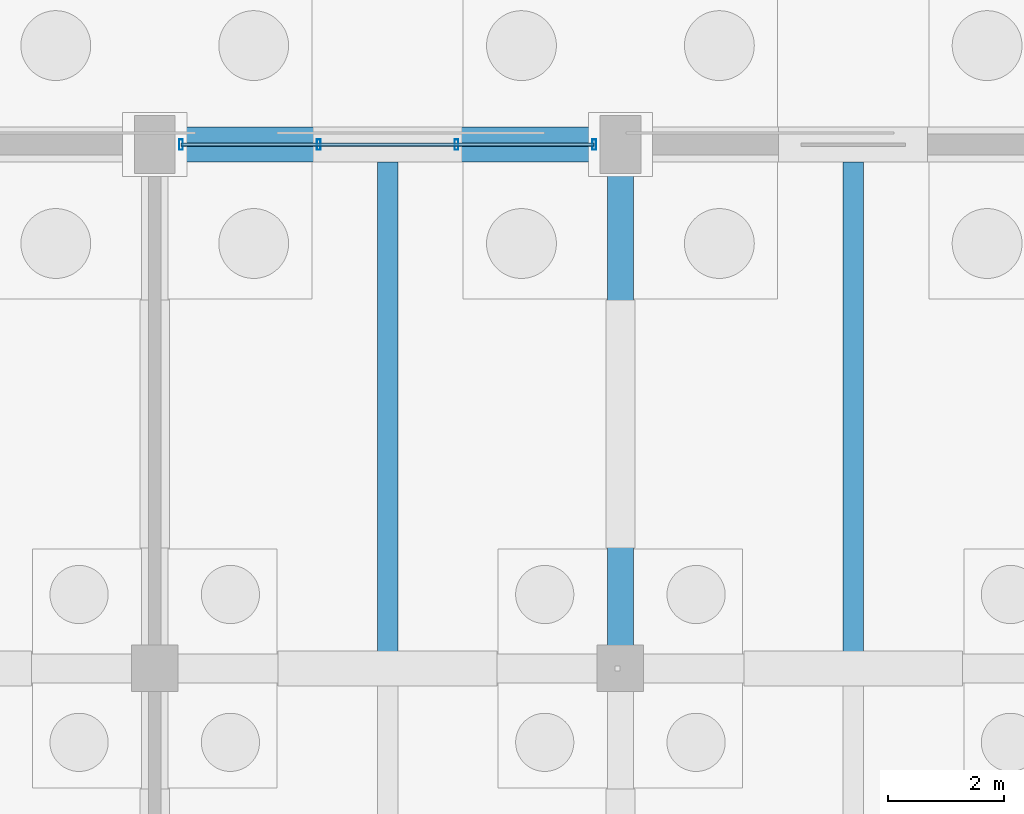
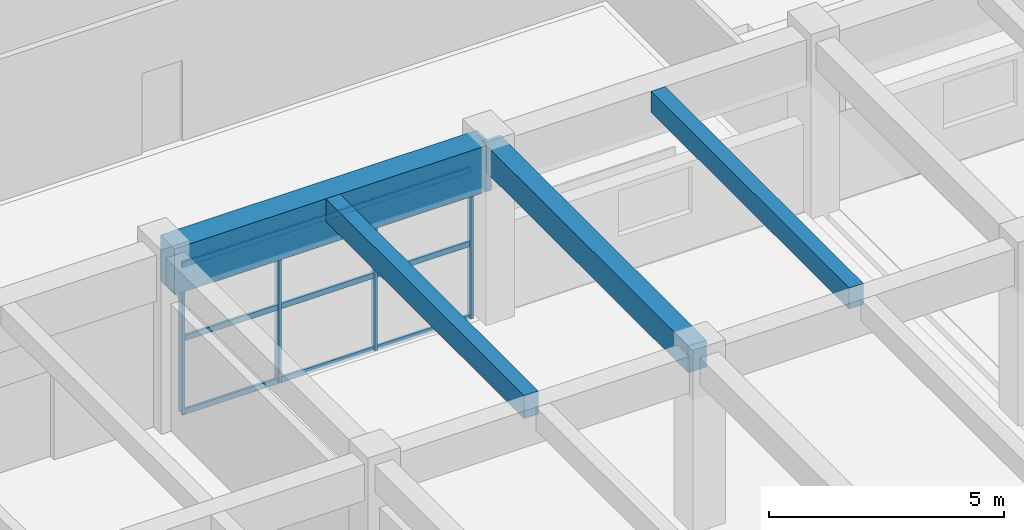
# One storey, part 38 of 147: 7 members, 4 beams, 1 element without a shape of its own.
"""IFC4 building model written with IfcOpenShell, lengths in metres."""

from ifc_helpers import new_model, si_unit, direction, frame, origin, origin_2d, place, context, subcontext, project, spatial, rectangle, hollow_rectangle, extrude, material, material_profile, profile_set, type_object, element, aggregate, save


model = new_model("IFC4")

# Units and contexts
model_context = context("Model", 3, precision=1e-05, world=origin(), true_north=direction((0.0, 1.0)))
body_context = subcontext(model_context, "Body", "Model", "MODEL_VIEW")
ifc_project = project(units=[si_unit("LENGTHUNIT", "METRE"), si_unit("AREAUNIT", "SQUARE_METRE"), si_unit("VOLUMEUNIT", "CUBIC_METRE"), si_unit("PLANEANGLEUNIT", "RADIAN"), si_unit("MASSUNIT", "GRAM", prefix="KILO")], contexts=[model_context])

# Site, building, storey
site_placement = place(None, origin())
site = spatial("IfcSite", under=ifc_project, at=site_placement, CompositionType="ELEMENT")
building_placement = place(site_placement, origin())
building = spatial("IfcBuilding", under=site, at=building_placement, Name="Varnabhumi Central Station", CompositionType="ELEMENT")
storey_placement = place(building_placement, origin())
storey = spatial("IfcBuildingStorey", under=building, at=storey_placement, Name="L00", CompositionType="ELEMENT", Elevation=0.0)

# Beams
ifc_material_1 = material(Name="Concrete M50", Category="concrete")
ifc_material_profile_1 = material_profile(ifc_material_1, rectangle(XDim=0.60009765625, YDim=1.199951171875, at=origin_2d()), Name="Concrete M50", Category="concrete")
ifc_profile_set_1 = profile_set([ifc_material_profile_1], Name="Concrete M50")
beam_type_1 = type_object("IfcBeamType", Name="BM-RC-1200x600", PredefinedType="BEAM", material=ifc_profile_set_1)
beam_1_placement = place(storey_placement, frame((48.10009765625, 36.0, 3.949951171875), z_axis=(1.0, 0.0, 0.0), x_axis=(0.0, 1.0, 0.0)))
element("IfcBeam", 1, at=beam_1_placement, inside=storey, type_object=beam_type_1, Name="Beam L00-E:7-8", PredefinedType="BEAM", context=body_context, shape_type="SweptSolid", body=[
    extrude(rectangle(XDim=0.60009765625, YDim=1.199951171875, at=origin_2d()), origin(), (0.0, 0.0, 1.0), 7.7998046875),
])
ifc_material_2 = material(Name="Concrete M40", Category="concrete")
ifc_material_profile_2 = material_profile(ifc_material_2, rectangle(XDim=0.35009765625, YDim=0.550048828125, at=origin_2d()), Name="Concrete M40", Category="concrete")
ifc_profile_set_2 = profile_set([ifc_material_profile_2], Name="Concrete M40")
beam_type_2 = type_object("IfcBeamType", Name="BM-RC-350x550", PredefinedType="JOIST", material=ifc_profile_set_2)
beam_2_placement = place(storey_placement, frame((60.0, 27.25, 4.27490234375), z_axis=(0.0, 1.0, 0.0), x_axis=(-1.0, 0.0, 0.0)))
element("IfcBeam", 2, at=beam_2_placement, inside=storey, type_object=beam_type_2, Name="Secondary Joist L00-8/9:D-E", PredefinedType="JOIST", context=body_context, shape_type="SweptSolid", body=[
    extrude(rectangle(XDim=0.35009765625, YDim=0.550048828125, at=origin_2d()), origin(), (0.0, 0.0, 1.0), 8.449951171875),
])
ifc_material_profile_3 = material_profile(ifc_material_2, rectangle(XDim=0.449951171875, YDim=0.699951171875, at=origin_2d()), Name="Concrete M40", Category="concrete")
ifc_profile_set_3 = profile_set([ifc_material_profile_3], Name="Concrete M40")
beam_type_3 = type_object("IfcBeamType", Name="BM-RC-450x700", PredefinedType="BEAM", material=ifc_profile_set_3)
beam_3_placement = place(storey_placement, frame((56.0, 27.10009765625, 4.199951171875), z_axis=(0.0, 1.0, 0.0), x_axis=(-1.0, 0.0, 0.0)))
element("IfcBeam", 3, at=beam_3_placement, inside=storey, type_object=beam_type_3, Name="Beam L00-8:D-E", PredefinedType="BEAM", context=body_context, shape_type="SweptSolid", body=[
    extrude(rectangle(XDim=0.449951171875, YDim=0.699951171875, at=origin_2d()), origin(), (0.0, 0.0, 1.0), 8.7998046875),
])
ifc_material_profile_4 = material_profile(ifc_material_2, rectangle(XDim=0.35009765625, YDim=0.60009765625, at=origin_2d()), Name="Concrete M40", Category="concrete")
ifc_profile_set_4 = profile_set([ifc_material_profile_4], Name="Concrete M40")
beam_type_4 = type_object("IfcBeamType", Name="BM-RC-600x350", PredefinedType="JOIST", material=ifc_profile_set_4)
beam_4_placement = place(storey_placement, frame((52.0, 27.25, 4.25), z_axis=(0.0, 1.0, 0.0), x_axis=(-1.0, 0.0, 0.0)))
element("IfcBeam", 4, at=beam_4_placement, inside=storey, type_object=beam_type_4, Name="Secondary Joist L00-7/8:D-E", PredefinedType="JOIST", context=body_context, shape_type="SweptSolid", body=[
    extrude(rectangle(XDim=0.35009765625, YDim=0.60009765625, at=origin_2d()), origin(), (0.0, 0.0, 1.0), 8.449951171875),
])

# Curtain wall, members
ifc_material_3 = material(Name="Anodised aluminium 6063-T6", Category="aluminium")
curtain_wall_type = type_object("IfcCurtainWallType", Name="CW-SPINE-SCREEN-L0", PredefinedType="NOTDEFINED", material=ifc_material_3)
curtain_wall_placement = place(storey_placement, origin())
curtain_wall = element("IfcCurtainWall", 5, at=curtain_wall_placement, inside=storey, type_object=curtain_wall_type, Name="Curtain Wall CW-SS006", PredefinedType="NOTDEFINED")
ifc_material_profile_5 = material_profile(ifc_material_3, hollow_rectangle(XDim=0.06494140625, YDim=0.179931640625, WallThickness=0.00390625, InnerFilletRadius=0.001953125, OuterFilletRadius=0.006103515625, at=origin_2d()), Name="Anodised aluminium 6063-T6", Category="aluminium")
ifc_profile_set_5 = profile_set([ifc_material_profile_5], Name="Anodised aluminium 6063-T6")
member_type_1 = type_object("IfcMemberType", Name="CW-MUL-180", PredefinedType="MULLION", material=ifc_profile_set_5)
member_1_placement = place(storey_placement, frame((48.449951171875, 36.0, 0.0), z_axis=(0.0, 0.0, 1.0), x_axis=(1.0, 0.0, 0.0)))
member_1 = element("IfcMember", 6, at=member_1_placement, type_object=member_type_1, Name="Curtain Wall Mullion CW-SS006-M1", PredefinedType="MULLION", context=body_context, shape_type="SweptSolid", body=[
    extrude(hollow_rectangle(XDim=0.06494140625, YDim=0.179931640625, WallThickness=0.00390625, InnerFilletRadius=0.001953125, OuterFilletRadius=0.006103515625, at=origin_2d()), origin(), (0.0, 0.0, 1.0), 3.840087890625),
])
member_2_placement = place(storey_placement, frame((50.816650390625, 36.0, 0.0), z_axis=(0.0, 0.0, 1.0), x_axis=(1.0, 0.0, 0.0)))
member_2 = element("IfcMember", 7, at=member_2_placement, type_object=member_type_1, Name="Curtain Wall Mullion CW-SS006-M2", PredefinedType="MULLION", context=body_context, shape_type="SweptSolid", body=[
    extrude(hollow_rectangle(XDim=0.06494140625, YDim=0.179931640625, WallThickness=0.00390625, InnerFilletRadius=0.001953125, OuterFilletRadius=0.006103515625, at=origin_2d()), origin(), (0.0, 0.0, 1.0), 3.840087890625),
])
member_3_placement = place(storey_placement, frame((53.183349609375, 36.0, 0.0), z_axis=(0.0, 0.0, 1.0), x_axis=(1.0, 0.0, 0.0)))
member_3 = element("IfcMember", 8, at=member_3_placement, type_object=member_type_1, Name="Curtain Wall Mullion CW-SS006-M3", PredefinedType="MULLION", context=body_context, shape_type="SweptSolid", body=[
    extrude(hollow_rectangle(XDim=0.06494140625, YDim=0.179931640625, WallThickness=0.00390625, InnerFilletRadius=0.001953125, OuterFilletRadius=0.006103515625, at=origin_2d()), origin(), (0.0, 0.0, 1.0), 3.840087890625),
])
member_4_placement = place(storey_placement, frame((55.550048828125, 36.0, 0.0), z_axis=(0.0, 0.0, 1.0), x_axis=(1.0, 0.0, 0.0)))
member_4 = element("IfcMember", 9, at=member_4_placement, type_object=member_type_1, Name="Curtain Wall Mullion CW-SS006-M4", PredefinedType="MULLION", context=body_context, shape_type="SweptSolid", body=[
    extrude(hollow_rectangle(XDim=0.06494140625, YDim=0.179931640625, WallThickness=0.00390625, InnerFilletRadius=0.001953125, OuterFilletRadius=0.006103515625, at=origin_2d()), origin(), (0.0, 0.0, 1.0), 3.840087890625),
])
ifc_material_profile_6 = material_profile(ifc_material_3, hollow_rectangle(XDim=0.06005859375, YDim=0.14990234375, WallThickness=0.00390625, InnerFilletRadius=0.001953125, OuterFilletRadius=0.006103515625, at=origin_2d()), Name="Anodised aluminium 6063-T6", Category="aluminium")
ifc_profile_set_6 = profile_set([ifc_material_profile_6], Name="Anodised aluminium 6063-T6")
member_type_2 = type_object("IfcMemberType", Name="CW-TR-150", PredefinedType="USERDEFINED", material=ifc_profile_set_6)
member_5_placement = place(storey_placement, frame((48.449951171875, 36.0, 0.0), z_axis=(1.0, 0.0, 0.0), x_axis=(0.0, 1.0, 0.0)))
member_5 = element("IfcMember", 10, at=member_5_placement, type_object=member_type_2, Name="Curtain Wall Transom CW-SS006-T1", ObjectType="TRANSOM", PredefinedType="USERDEFINED", context=body_context, shape_type="SweptSolid", body=[
    extrude(hollow_rectangle(XDim=0.06005859375, YDim=0.14990234375, WallThickness=0.00390625, InnerFilletRadius=0.001953125, OuterFilletRadius=0.006103515625, at=origin_2d()), origin(), (0.0, 0.0, 1.0), 7.10009765625),
])
member_6_placement = place(storey_placement, frame((48.449951171875, 36.0, 1.919921875), z_axis=(1.0, 0.0, 0.0), x_axis=(0.0, 1.0, 0.0)))
member_6 = element("IfcMember", 11, at=member_6_placement, type_object=member_type_2, Name="Curtain Wall Transom CW-SS006-T2", ObjectType="TRANSOM", PredefinedType="USERDEFINED", context=body_context, shape_type="SweptSolid", body=[
    extrude(hollow_rectangle(XDim=0.06005859375, YDim=0.14990234375, WallThickness=0.00390625, InnerFilletRadius=0.001953125, OuterFilletRadius=0.006103515625, at=origin_2d()), origin(), (0.0, 0.0, 1.0), 7.10009765625),
])
member_7_placement = place(storey_placement, frame((48.449951171875, 36.0, 3.840087890625), z_axis=(1.0, 0.0, 0.0), x_axis=(0.0, 1.0, 0.0)))
member_7 = element("IfcMember", 12, at=member_7_placement, type_object=member_type_2, Name="Curtain Wall Transom CW-SS006-T3", ObjectType="TRANSOM", PredefinedType="USERDEFINED", context=body_context, shape_type="SweptSolid", body=[
    extrude(hollow_rectangle(XDim=0.06005859375, YDim=0.14990234375, WallThickness=0.00390625, InnerFilletRadius=0.001953125, OuterFilletRadius=0.006103515625, at=origin_2d()), origin(), (0.0, 0.0, 1.0), 7.10009765625),
])
aggregate(curtain_wall, [member_1, member_2, member_3, member_4, member_5, member_6, member_7])

save(model, "model.ifc")
